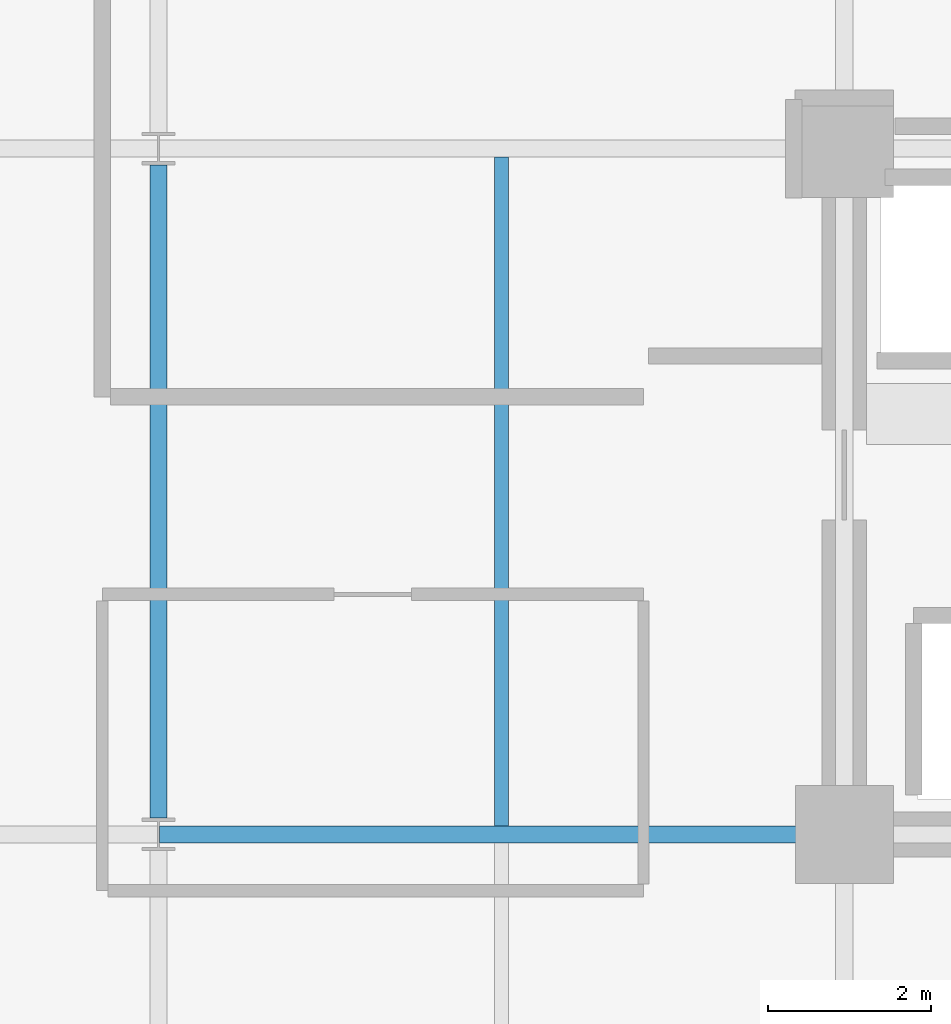
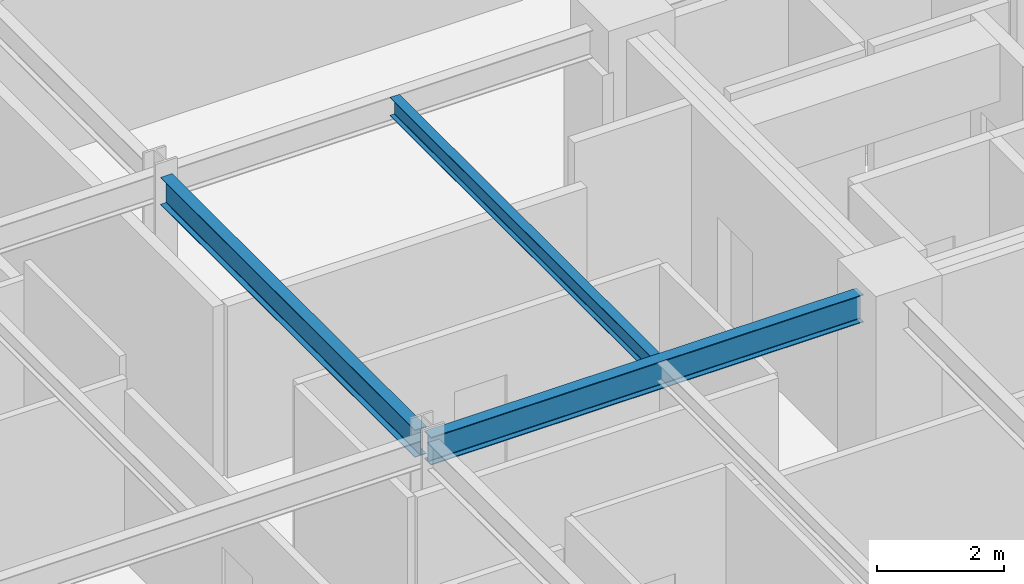
# One storey, part 7 of 38: 3 beams.
"""IFC4 building model written with IfcOpenShell, lengths in metres."""

import ifcopenshell
import ifcopenshell.guid

model = None  # the IFC model being written
_history = None  # IfcOwnerHistory: only IFC2X3 demands one
_inside = {}  # id of a spatial element -> (the spatial element, [elements in it])
_under = {}  # id of a project, library or spatial element -> (it, [spatial elements below it])
_declared = {}  # id of a project -> (the project, [libraries it declares])
_typed = {}  # id of a type object -> (the type object, [elements of that type])
_made_of = {}  # id of a material, layer set ... -> (it, [elements and type objects made of it])


def new_model(schema):
    """Start an empty IFC model of exactly this schema.

    Asked for "IFC4X3", IfcOpenShell would pick the latest addendum, in which some entities
    have other attributes; the version numbers below select the first issue.
    IFC2X3 requires an IfcOwnerHistory on every rooted entity: one is made here for all.
    """
    global model, _history
    if schema == "IFC4X3":
        model = ifcopenshell.file(schema_version=(4, 3, 0, 0))
    else:
        model = ifcopenshell.file(schema=schema)
    _inside.clear()
    _under.clear()
    _declared.clear()
    _typed.clear()
    _made_of.clear()
    _history = None
    if model.schema == "IFC2X3":
        org = make("IfcOrganization", Name="unknown")
        user = make(
            "IfcPersonAndOrganization",
            ThePerson=make("IfcPerson", FamilyName="unknown"),
            TheOrganization=org,
        )
        app = make(
            "IfcApplication",
            ApplicationDeveloper=org,
            Version="unknown",
            ApplicationFullName="unknown",
            ApplicationIdentifier="unknown",
        )
        _history = make(
            "IfcOwnerHistory",
            OwningUser=user,
            OwningApplication=app,
            ChangeAction="ADDED",
            CreationDate=0,
        )
    return model


def make(cls, **values):
    """One entity of the class cls with the attributes given. An attribute that is None is left unset."""
    return model.create_entity(
        cls, **{name: value for name, value in values.items() if value is not None}
    )


def rooted(cls, **values):
    """An entity with a GlobalId (a new one), such as an element, a storey or a relation."""
    return make(cls, GlobalId=ifcopenshell.guid.new(), OwnerHistory=_history, **values)


def si_unit(unit_type, name, prefix=None):
    """IfcSIUnit, for example si_unit("LENGTHUNIT", "METRE", prefix="MILLI")."""
    return make("IfcSIUnit", UnitType=unit_type, Prefix=prefix, Name=name)


def assignment(units):
    """IfcUnitAssignment: the units of a project."""
    return None if units is None else make("IfcUnitAssignment", Units=units)


def point(xyz):
    """IfcCartesianPoint."""
    return None if xyz is None else make("IfcCartesianPoint", Coordinates=xyz)


def direction(xyz):
    """IfcDirection."""
    return None if xyz is None else make("IfcDirection", DirectionRatios=xyz)


def frame(location, z_axis=None, x_axis=None):
    """IfcAxis2Placement3D, a coordinate frame: its origin and axes. An axis left out is left unset."""
    return make(
        "IfcAxis2Placement3D",
        Location=point(location),
        Axis=direction(z_axis),
        RefDirection=direction(x_axis),
    )


def frame_2d(location, x_axis=None):
    """IfcAxis2Placement2D, a coordinate frame in the plane: its origin and x axis."""
    return make(
        "IfcAxis2Placement2D", Location=point(location), RefDirection=direction(x_axis)
    )


def origin():
    """The frame at (0, 0, 0) with its axes left unset."""
    return frame((0.0, 0.0, 0.0))


def origin_2d():
    """The frame at (0, 0) in the plane with its x axis left unset."""
    return frame_2d((0.0, 0.0))


def place(relative_to, where):
    """IfcLocalPlacement: puts the frame where relative to a parent placement (None: the world)."""
    return make(
        "IfcLocalPlacement", PlacementRelTo=relative_to, RelativePlacement=where
    )


def context(
    kind, dimensions, precision=None, world=None, true_north=None, identifier=None
):
    """IfcGeometricRepresentationContext, for example the 3D "Model" context."""
    return make(
        "IfcGeometricRepresentationContext",
        ContextIdentifier=identifier,
        ContextType=kind,
        CoordinateSpaceDimension=dimensions,
        Precision=precision,
        WorldCoordinateSystem=world,
        TrueNorth=true_north,
    )


def subcontext(parent, identifier, kind, view, scale=None):
    """IfcGeometricRepresentationSubContext, for example "Body" below "Model"."""
    return make(
        "IfcGeometricRepresentationSubContext",
        ContextIdentifier=identifier,
        ContextType=kind,
        ParentContext=parent,
        TargetScale=scale,
        TargetView=view,
    )


def project(units=None, contexts=None):
    """IfcProject with its units and contexts."""
    return rooted(
        "IfcProject",
        Name="project",
        RepresentationContexts=contexts,
        UnitsInContext=assignment(units),
    )


def spatial(cls, under=None, at=None, **own):
    """A site, building, storey or space (cls), placed at a placement, below another one or the project."""
    s = rooted(cls, ObjectPlacement=at, **own)
    if under is not None:
        _under.setdefault(under.id(), (under, []))[1].append(s)
    return s


def profile(cls, at=None, kind="AREA", **sizes):
    """A parametric profile (cls). Its sizes go by their IFC names, for example OverallWidth=200.0."""
    return make(cls, ProfileType=kind, Position=at, **sizes)


def i_section(**sizes):
    """IfcIShapeProfileDef."""
    return profile("IfcIShapeProfileDef", **sizes)


def extrude(swept, where, along, depth):
    """IfcExtrudedAreaSolid: the profile swept, set in the frame where, extruded along a direction by depth."""
    return make(
        "IfcExtrudedAreaSolid",
        SweptArea=swept,
        Position=where,
        ExtrudedDirection=direction(along),
        Depth=depth,
    )


def shape(context_of_items, identifier, shape_type, items):
    """IfcShapeRepresentation: the items that make up one representation, for example the "Body"."""
    return make(
        "IfcShapeRepresentation",
        ContextOfItems=context_of_items,
        RepresentationIdentifier=identifier,
        RepresentationType=shape_type,
        Items=items,
    )


def material(Name=None, Category=None):
    """IfcMaterial."""
    return make("IfcMaterial", Name=Name, Category=Category)


def material_profile(
    of_material, cross_section, Name=None, Category=None, Priority=None
):
    """IfcMaterialProfile: a cross section and its material."""
    return make(
        "IfcMaterialProfile",
        Name=Name,
        Material=of_material,
        Profile=cross_section,
        Priority=Priority,
        Category=Category,
    )


def profile_set(profiles, Name=None, composite=None):
    """IfcMaterialProfileSet."""
    return make(
        "IfcMaterialProfileSet",
        Name=Name,
        MaterialProfiles=profiles,
        CompositeProfile=composite,
    )


def made_of(thing, what):
    """Note that an element or type object is made of a material, layer set ...; save() writes the relation."""
    if what is not None:
        _made_of.setdefault(what.id(), (what, []))[1].append(thing)
    return thing


def type_object(cls, material=None, **own):
    """A type object (cls), such as IfcWallType, which elements share."""
    return made_of(rooted(cls, **own), material)


def element(
    cls,
    number,
    at=None,
    inside=None,
    cuts=None,
    type_object=None,
    material=None,
    context=None,
    identifier="Body",
    shape_type=None,
    held_by="IfcProductDefinitionShape",
    body=None,
    shapes=None,
    **own,
):
    """One element of the class cls, such as IfcWall. Its Tag is "e" and its number.

    at: its placement. inside: the storey or other place that contains it. cuts: it is an
    opening in that element (IfcRelVoidsElement). A single representation is given by context,
    identifier, shape_type and body (its items); several are given by shapes. held_by: the class
    of the entity that holds the representations. save() writes the other relations.
    """
    e = rooted(cls, Tag="e%d" % number, ObjectPlacement=at, **own)
    if body is not None:
        shapes = [shape(context, identifier, shape_type, body)]
    if shapes is not None:
        e.Representation = make(held_by, Representations=shapes)
    if inside is not None:
        _inside.setdefault(inside.id(), (inside, []))[1].append(e)
    if cuts is not None:
        rooted(
            "IfcRelVoidsElement", RelatingBuildingElement=cuts, RelatedOpeningElement=e
        )
    if type_object is not None:
        _typed.setdefault(type_object.id(), (type_object, []))[1].append(e)
    return made_of(e, material)


def aggregate(whole, parts):
    """IfcRelAggregates: a whole, such as a stair, and the parts it consists of."""
    return rooted("IfcRelAggregates", RelatingObject=whole, RelatedObjects=parts)


def save(model, path):
    """Write the relations noted so far, then the file.

    IfcRelAggregates (storeys below a building ...), IfcRelContainedInSpatialStructure (elements
    in a storey), IfcRelDefinesByType, IfcRelAssociatesMaterial and IfcRelDeclares: one each for
    every whole, place, type object, material and project.
    """
    for whole, parts in _under.values():
        aggregate(whole, parts)
    for where, things in _inside.values():
        rooted(
            "IfcRelContainedInSpatialStructure",
            RelatedElements=things,
            RelatingStructure=where,
        )
    for kind, things in _typed.values():
        rooted("IfcRelDefinesByType", RelatedObjects=things, RelatingType=kind)
    for what, things in _made_of.values():
        rooted("IfcRelAssociatesMaterial", RelatedObjects=things, RelatingMaterial=what)
    for by, libraries in _declared.values():
        rooted("IfcRelDeclares", RelatingContext=by, RelatedDefinitions=libraries)
    model.write(path)


model = new_model("IFC4")

# Units and contexts
model_context = context("Model", 3, precision=1e-05, world=origin(), true_north=direction((0.0, 1.0)))
body_context = subcontext(model_context, "Body", "Model", "MODEL_VIEW")
ifc_project = project(units=[si_unit("LENGTHUNIT", "METRE"), si_unit("AREAUNIT", "SQUARE_METRE"), si_unit("VOLUMEUNIT", "CUBIC_METRE"), si_unit("PLANEANGLEUNIT", "RADIAN"), si_unit("MASSUNIT", "GRAM", prefix="KILO")], contexts=[model_context])

# Site, building, storey
site_placement = place(None, origin())
site = spatial("IfcSite", under=ifc_project, at=site_placement, CompositionType="ELEMENT")
building_placement = place(site_placement, origin())
building = spatial("IfcBuilding", under=site, at=building_placement, Name="Nerrivon Quay Data Exchange", CompositionType="ELEMENT")
storey_placement = place(building_placement, frame((0.0, 0.0, 96.699951171875)))
storey = spatial("IfcBuildingStorey", under=building, at=storey_placement, Name="L22", CompositionType="ELEMENT", Elevation=96.699951171875)

# Beams
ifc_material = material(Name="Steel Grade 350", Category="steel")
ifc_material_profile_1 = material_profile(ifc_material, i_section(OverallWidth=0.208984375, OverallDepth=0.532958984375, WebThickness=0.01025390625, FlangeThickness=0.015625, FilletRadius=0.013916015625, at=origin_2d()), Name="530UB92.4")
ifc_profile_set_1 = profile_set([ifc_material_profile_1], Name="Steel Grade 350")
beam_type_1 = type_object("IfcBeamType", Name="BM-G3-530UB92", PredefinedType="BEAM", material=ifc_profile_set_1)
beam_1_placement = place(storey_placement, frame((8.41259765625, 8.39990234375, 3.55859375), z_axis=(1.0, 0.0, 0.0), x_axis=(0.0, 1.0, 0.0)))
element("IfcBeam", 1, at=beam_1_placement, inside=storey, type_object=beam_type_1, Name="L22 EW Girder Y=8.4 (8.4..16.8)", PredefinedType="BEAM", context=body_context, shape_type="SweptSolid", body=[
    extrude(i_section(OverallWidth=0.208984375, OverallDepth=0.532958984375, WebThickness=0.01025390625, FlangeThickness=0.015625, FilletRadius=0.013916015625, at=origin_2d()), origin(), (0.0, 0.0, 1.0), 7.847412109375),
])
ifc_material_profile_2 = material_profile(ifc_material, i_section(OverallWidth=0.208984375, OverallDepth=0.528076171875, WebThickness=0.009521484375, FlangeThickness=0.01318359375, FilletRadius=0.013916015625, at=origin_2d()), Name="530UB82.0")
ifc_profile_set_2 = profile_set([ifc_material_profile_2], Name="Steel Grade 350")
beam_type_2 = type_object("IfcBeamType", Name="BM-G4-530UB82", PredefinedType="BEAM", material=ifc_profile_set_2)
beam_2_placement = place(storey_placement, frame((8.39990234375, 8.60009765625, 3.56103515625), z_axis=(0.0, 1.0, 0.0), x_axis=(-1.0, 0.0, 0.0)))
element("IfcBeam", 2, at=beam_2_placement, inside=storey, type_object=beam_type_2, Name="L22 NS Girder X=8.4 (8.4..16.8)", PredefinedType="BEAM", context=body_context, shape_type="SweptSolid", body=[
    extrude(i_section(OverallWidth=0.208984375, OverallDepth=0.528076171875, WebThickness=0.009521484375, FlangeThickness=0.01318359375, FilletRadius=0.013916015625, at=origin_2d()), origin(), (0.0, 0.0, 1.0), 8.0),
])
ifc_material_profile_3 = material_profile(ifc_material, i_section(OverallWidth=0.1708984375, OverallDepth=0.35595703125, WebThickness=0.00732421875, FlangeThickness=0.011474609375, FilletRadius=0.011474609375, at=origin_2d()), Name="360UB50.7")
ifc_profile_set_3 = profile_set([ifc_material_profile_3], Name="Steel Grade 350")
beam_type_3 = type_object("IfcBeamType", Name="BM-J4-360UB51", PredefinedType="JOIST", material=ifc_profile_set_3)
beam_3_placement = place(storey_placement, frame((12.60009765625, 8.50439453125, 3.64697265625), z_axis=(0.0, 1.0, 0.0), x_axis=(-1.0, 0.0, 0.0)))
element("IfcBeam", 3, at=beam_3_placement, inside=storey, type_object=beam_type_3, Name="L22 Secondary Joist X=12.6 (8.4..16.8)", PredefinedType="JOIST", context=body_context, shape_type="SweptSolid", body=[
    extrude(i_section(OverallWidth=0.1708984375, OverallDepth=0.35595703125, WebThickness=0.00732421875, FlangeThickness=0.011474609375, FilletRadius=0.011474609375, at=origin_2d()), origin(), (0.0, 0.0, 1.0), 8.191162109375),
])

save(model, "model.ifc")
